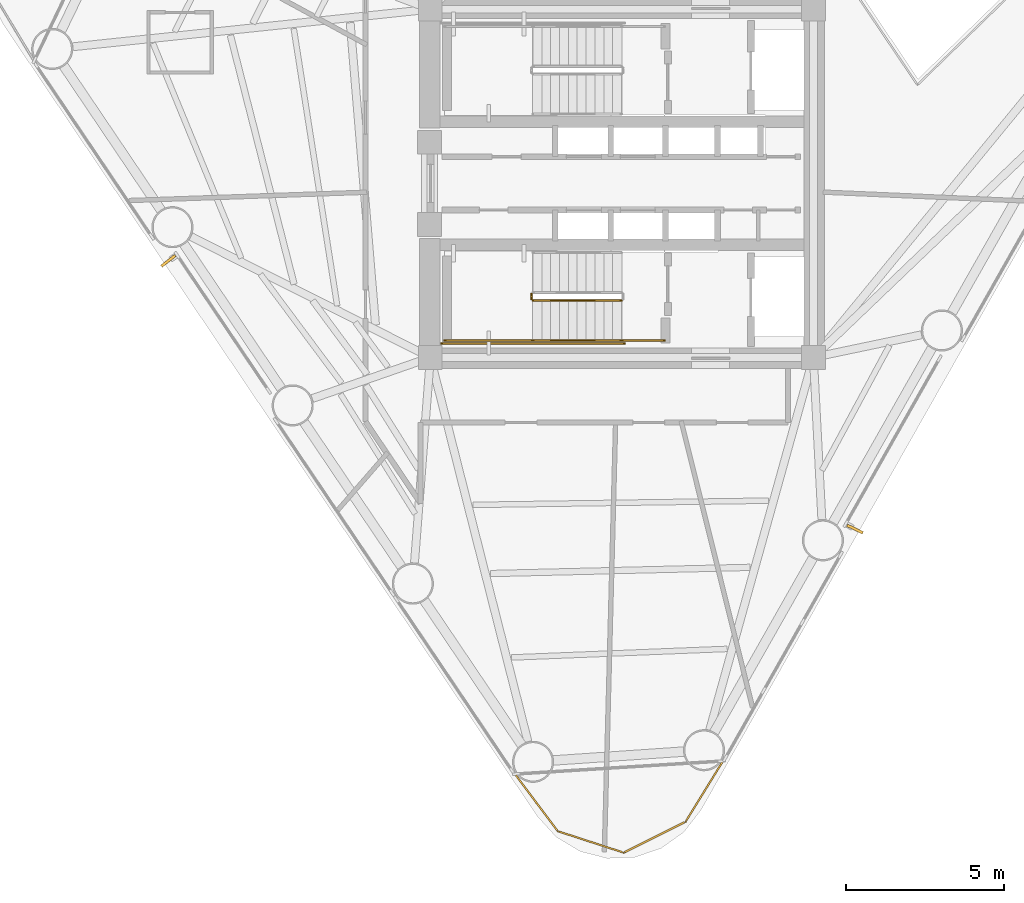
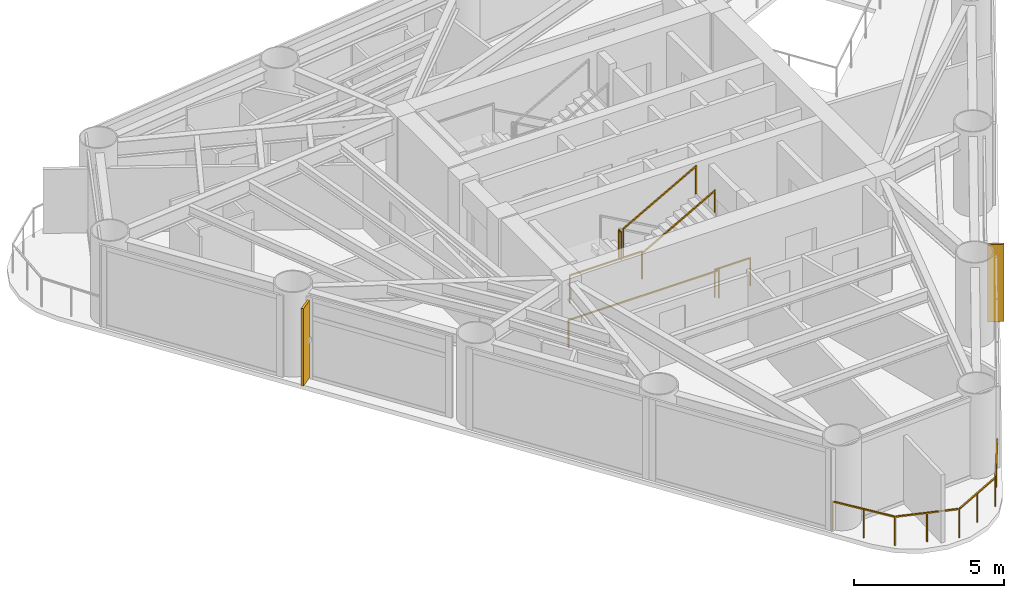
# One storey, part 7 of 9: 7 railings, 2 shading devices.
"""IFC4 building model written with IfcOpenShell, lengths in metres."""

from ifc_helpers import new_model, si_unit, direction, frame, origin, origin_2d, place, context, subcontext, project, spatial, rectangle, extrude, source, transform, mapped, material, material_profile, profile_set, type_object, element, save


model = new_model("IFC4")

# Units and contexts
model_context = context("Model", 3, precision=1e-05, world=origin(), true_north=direction((0.0, 1.0)))
body_context = subcontext(model_context, "Body", "Model", "MODEL_VIEW")
ifc_project = project(units=[si_unit("LENGTHUNIT", "METRE"), si_unit("AREAUNIT", "SQUARE_METRE"), si_unit("VOLUMEUNIT", "CUBIC_METRE"), si_unit("PLANEANGLEUNIT", "RADIAN"), si_unit("MASSUNIT", "GRAM", prefix="KILO")], contexts=[model_context])

# Site, building, storey
site_placement = place(None, origin())
site = spatial("IfcSite", under=ifc_project, at=site_placement, CompositionType="ELEMENT")
building_placement = place(site_placement, origin())
building = spatial("IfcBuilding", under=site, at=building_placement, Name="Yunling Apex Tower", CompositionType="ELEMENT")
storey_placement = place(building_placement, frame((0.0, 0.0, 172.550048828125)))
storey = spatial("IfcBuildingStorey", under=building, at=storey_placement, Name="L42", CompositionType="ELEMENT", Elevation=172.550048828125)

# Railings
ifc_material_1 = material(Name="Bronze anodised aluminium", Category="aluminium")
railing_type_1 = type_object("IfcRailingType", Name="RL-BAL-1200", PredefinedType="BALUSTRADE", material=ifc_material_1)
railing_1_placement = place(storey_placement, frame((3.195068359375, -18.248046875, 0.0)))
element("IfcRailing", 1, at=railing_1_placement, inside=storey, type_object=railing_type_1, Name="RL-CRNSILL-L42-3", PredefinedType="BALUSTRADE", context=body_context, shape_type="SweptSolid", body=[
    extrude(rectangle(XDim=0.0439453125, YDim=0.0439453125, at=origin_2d()), origin(), (0.0, 0.0, 1.0), 1.199951171875),
    extrude(rectangle(XDim=0.0439453125, YDim=0.0439453125, at=origin_2d()), frame((-1.182861328125, -1.91845703125, 0.0)), (0.0, 0.0, 1.0), 1.199951171875),
    extrude(rectangle(XDim=0.050048828125, YDim=0.050048828125, at=origin_2d()), frame((-0.02001953125, -0.03271484375, 1.1748046875), z_axis=(-0.524828533939, -0.851207971041, 0.0), x_axis=(0.851207971041, -0.524828533939, 0.0)), (0.0, 0.0, 1.0), 2.17724609375),
    extrude(rectangle(XDim=0.0439453125, YDim=0.0439453125, at=origin_2d()), frame((-0.59130859375, -0.959228515625, 0.0)), (0.0, 0.0, 1.0), 1.14599609375),
    extrude(rectangle(XDim=0.0439453125, YDim=0.0439453125, at=origin_2d()), frame((-3.1376953125, -2.895751953125, 0.0)), (0.0, 0.0, 1.0), 1.199951171875),
    extrude(rectangle(XDim=0.050048828125, YDim=0.050048828125, at=origin_2d()), frame((-1.217041015625, -1.935546875, 1.1748046875), z_axis=(-0.894449531573, -0.447168911563, 0.0), x_axis=(0.447168911563, -0.894449531573, 0.0)), (0.0, 0.0, 1.0), 2.10888671875),
    extrude(rectangle(XDim=0.0439453125, YDim=0.0439453125, at=origin_2d()), frame((-2.16015625, -2.4072265625, 0.0)), (0.0, 0.0, 1.0), 1.14599609375),
    extrude(rectangle(XDim=0.0439453125, YDim=0.0439453125, at=origin_2d()), frame((-5.22265625, -2.216552734375, 0.0)), (0.0, 0.0, 1.0), 1.199951171875),
    extrude(rectangle(XDim=0.050048828125, YDim=0.050048828125, at=origin_2d()), frame((-3.174072265625, -2.8837890625, 1.1748046875), z_axis=(-0.950821112954, 0.309740554595, 0.0), x_axis=(-0.309740554595, -0.950821112954, 0.0)), (0.0, 0.0, 1.0), 2.1162109375),
    extrude(rectangle(XDim=0.0439453125, YDim=0.0439453125, at=origin_2d()), frame((-4.18017578125, -2.55615234375, 0.0)), (0.0, 0.0, 1.0), 1.14599609375),
    extrude(rectangle(XDim=0.0439453125, YDim=0.0439453125, at=origin_2d()), frame((-6.572021484375, -0.412841796875, 0.0)), (0.0, 0.0, 1.0), 1.199951171875),
    extrude(rectangle(XDim=0.050048828125, YDim=0.050048828125, at=origin_2d()), frame((-5.24560546875, -2.185791015625, 1.1748046875), z_axis=(-0.599028453381, 0.800727739023, 0.0), x_axis=(-0.800727739023, -0.599028453381, 0.0)), (0.0, 0.0, 1.0), 2.176025390625),
    extrude(rectangle(XDim=0.0439453125, YDim=0.0439453125, at=origin_2d()), frame((-5.8974609375, -1.314697265625, 0.0)), (0.0, 0.0, 1.0), 1.14599609375),
])
ifc_material_2 = material(Name="Steel Q355B", Category="steel")
railing_type_2 = type_object("IfcRailingType", Name="RL-GRD-1150", PredefinedType="GUARDRAIL", material=ifc_material_2)
railing_2_placement = place(storey_placement, frame((-2.860107421875, -3.5, 1.724853515625)))
element("IfcRailing", 2, at=railing_2_placement, inside=storey, type_object=railing_type_2, Name="L42 ST-2 stair guard 2", PredefinedType="GUARDRAIL", context=body_context, shape_type="SweptSolid", body=[
    extrude(rectangle(XDim=0.0439453125, YDim=0.0439453125, at=origin_2d()), origin(), (0.0, 0.0, 1.0), 1.14990234375),
    extrude(rectangle(XDim=0.0439453125, YDim=0.0439453125, at=origin_2d()), frame((0.0, -0.14990234375, 0.0)), (0.0, 0.0, 1.0), 1.14990234375),
    extrude(rectangle(XDim=0.050048828125, YDim=0.050048828125, at=origin_2d()), frame((0.0, -0.038330078125, 1.125), z_axis=(0.0, -1.0, 0.0), x_axis=(1.0, 0.0, 0.0)), (0.0, 0.0, 1.0), 0.0732421875),
])
railing_3_placement = place(storey_placement, frame((-2.81005859375, -4.9599609375, 1.724853515625)))
element("IfcRailing", 3, at=railing_3_placement, inside=storey, type_object=railing_type_2, Name="L42 ST-2 stair guard 3", PredefinedType="GUARDRAIL", context=body_context, shape_type="SweptSolid", body=[
    extrude(rectangle(XDim=0.0439453125, YDim=0.0439453125, at=origin_2d()), origin(), (0.0, 0.0, 1.0), 1.14990234375),
    extrude(rectangle(XDim=0.0439453125, YDim=0.0439453125, at=origin_2d()), frame((-2.7900390625, 0.0, 0.0)), (0.0, 0.0, 1.0), 1.14990234375),
    extrude(rectangle(XDim=0.050048828125, YDim=0.050048828125, at=origin_2d()), frame((-0.038330078125, 0.0, 1.125), z_axis=(-1.0, 0.0, 0.0), x_axis=(0.0, -1.0, 0.0)), (0.0, 0.0, 1.0), 2.71337890625),
])
railing_4_placement = place(storey_placement, frame((-2.81005859375, -3.699951171875, 1.8818359375)))
element("IfcRailing", 4, at=railing_4_placement, inside=storey, type_object=railing_type_2, Name="L42 ST-2 stair guard 4", PredefinedType="GUARDRAIL", context=body_context, shape_type="SweptSolid", body=[
    extrude(rectangle(XDim=0.0439453125, YDim=0.0439453125, at=origin_2d()), origin(), (0.0, 0.0, 1.0), 1.14990234375),
    extrude(rectangle(XDim=0.0439453125, YDim=0.0439453125, at=origin_2d()), frame((2.800048828125, 0.0, 1.568115234375)), (0.0, 0.0, 1.0), 1.14990234375),
    extrude(rectangle(XDim=0.050048828125, YDim=0.050048828125, at=origin_2d()), frame((0.033447265625, 0.0, 1.1435546875), z_axis=(0.872494340497, 0.0, 0.48862421737), x_axis=(0.0, 1.0, 0.0)), (0.0, 0.0, 1.0), 3.132568359375),
])
railing_5_placement = place(storey_placement, frame((1.35009765625, -4.9599609375, 0.0)))
element("IfcRailing", 5, at=railing_5_placement, inside=storey, type_object=railing_type_2, Name="L42 ST-2 stair guard 6", PredefinedType="GUARDRAIL", context=body_context, shape_type="SweptSolid", body=[
    extrude(rectangle(XDim=0.0439453125, YDim=0.0439453125, at=origin_2d()), origin(), (0.0, 0.0, 1.0), 1.14990234375),
    extrude(rectangle(XDim=0.0439453125, YDim=0.0439453125, at=origin_2d()), frame((-1.360107421875, 0.0, 0.0)), (0.0, 0.0, 1.0), 1.14990234375),
    extrude(rectangle(XDim=0.050048828125, YDim=0.050048828125, at=origin_2d()), frame((-0.038330078125, 0.0, 1.125), z_axis=(-1.0, 0.0, 0.0), x_axis=(0.0, -1.0, 0.0)), (0.0, 0.0, 1.0), 1.283447265625),
])
railing_6_placement = place(storey_placement, frame((0.090087890625, -5.06005859375, 0.0)))
element("IfcRailing", 6, at=railing_6_placement, inside=storey, type_object=railing_type_2, Name="L42 ST-2 stair guard 7", PredefinedType="GUARDRAIL", context=body_context, shape_type="SweptSolid", body=[
    extrude(rectangle(XDim=0.0439453125, YDim=0.0439453125, at=origin_2d()), origin(), (0.0, 0.0, 1.0), 1.14990234375),
    extrude(rectangle(XDim=0.0439453125, YDim=0.0439453125, at=origin_2d()), frame((-5.7900390625, 0.0, 0.0)), (0.0, 0.0, 1.0), 1.14990234375),
    extrude(rectangle(XDim=0.050048828125, YDim=0.050048828125, at=origin_2d()), frame((-0.038330078125, 0.0, 1.125), z_axis=(-1.0, 0.0, 0.0), x_axis=(0.0, -1.0, 0.0)), (0.0, 0.0, 1.0), 5.71337890625),
])
ifc_material_3 = material(Name="Silver anodised aluminium", Category="aluminium")
railing_type_3 = type_object("IfcRailingType", Name="RL-HND-900", PredefinedType="HANDRAIL", material=ifc_material_3)
railing_7_placement = place(storey_placement, frame((-2.81005859375, -4.9599609375, 1.8818359375)))
element("IfcRailing", 7, at=railing_7_placement, inside=storey, type_object=railing_type_3, Name="L42 ST-2 stair handrail 2", PredefinedType="HANDRAIL", context=body_context, shape_type="SweptSolid", body=[
    extrude(rectangle(XDim=0.0439453125, YDim=0.0439453125, at=origin_2d()), origin(), (0.0, 0.0, 1.0), 0.919921875),
    extrude(rectangle(XDim=0.0439453125, YDim=0.0439453125, at=origin_2d()), frame((2.800048828125, 0.0, 1.568115234375)), (0.0, 0.0, 1.0), 0.919921875),
    extrude(rectangle(XDim=0.050048828125, YDim=0.050048828125, at=origin_2d()), frame((0.033447265625, 0.0, 0.91357421875), z_axis=(0.872494340497, 0.0, 0.48862421737), x_axis=(0.0, 1.0, 0.0)), (0.0, 0.0, 1.0), 3.132568359375),
])

# Shading devices
ifc_material_profile = material_profile(ifc_material_1, rectangle(XDim=0.0849609375, YDim=0.550048828125, at=origin_2d()))
ifc_profile_set = profile_set([ifc_material_profile], Name="Bronze anodised aluminium")
shading_device_type = type_object("IfcShadingDeviceType", Name="FN-BRZ-3", PredefinedType="USERDEFINED", material=ifc_profile_set)
shared_shape = source(origin(), body_context, "Body", "SweptSolid", [
    extrude(rectangle(XDim=0.0849609375, YDim=0.550048828125, at=origin_2d()), origin(), (0.0, 0.0, 1.0), 3.14990234375),
])
for number, where, z_axis, x_axis, name in (
    (8, (7.364501953125, -10.9208984375, 0.06005859375), (0.0, 0.0, 1.0), (0.435073957475, 0.900394719846, 0.0), "CW-L42-F1-B2-FIN-01"),
    (9, (-14.3291015625, -2.45068359375, 0.06005859375), (0.0, 0.0, 1.0), (0.612217280034, -0.790689573744, 0.0), "CW-L42-F3-B2-FIN-01"),
):
    element("IfcShadingDevice", number, at=place(storey_placement, frame(where, z_axis=z_axis, x_axis=x_axis)), inside=storey, type_object=shading_device_type, Name=name, ObjectType="FIN", PredefinedType="USERDEFINED", context=body_context, shape_type="MappedRepresentation", body=[
        mapped(shared_shape, transform((0.0, 0.0, 0.0), scale=1.0)),
    ])

save(model, "model.ifc")
